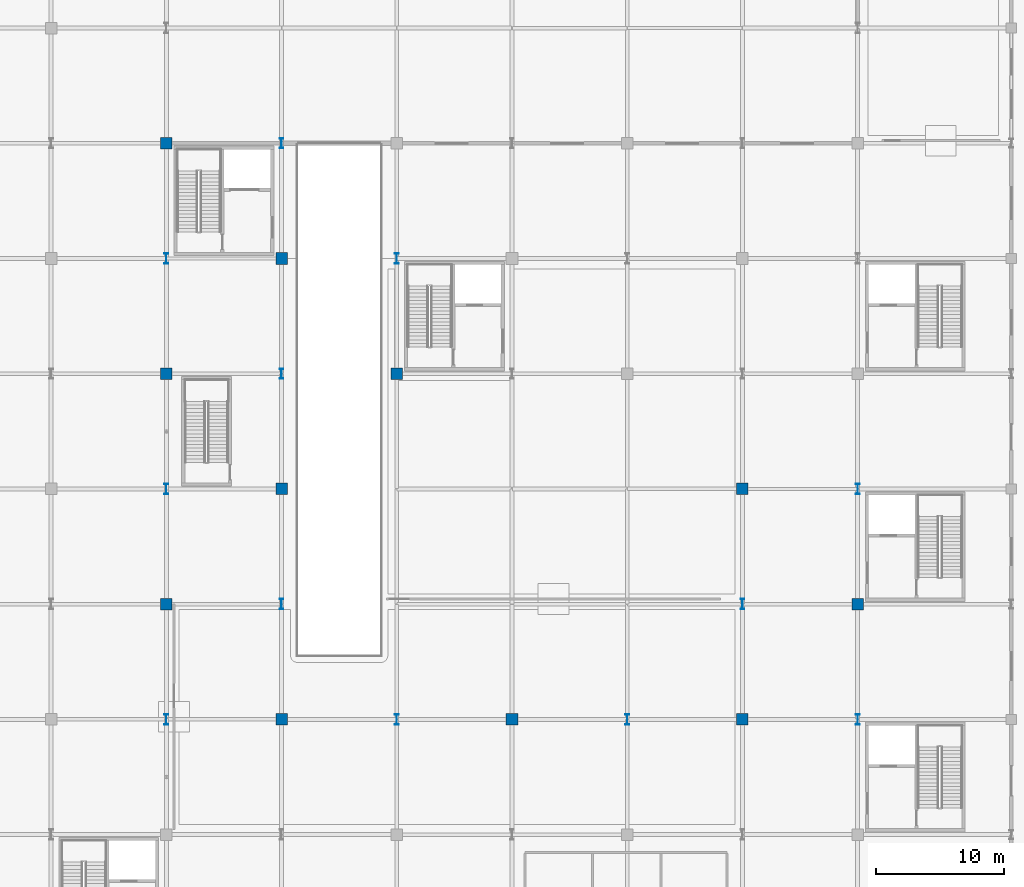
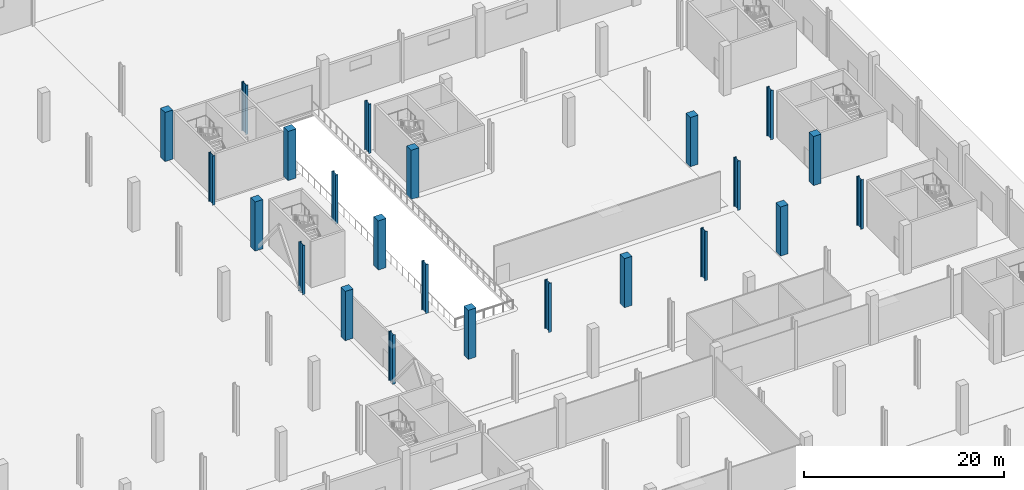
# One storey, part 12 of 58: 23 columns.
"""IFC4 building model written with IfcOpenShell, lengths in metres."""

from ifc_helpers import new_model, si_unit, direction, frame, origin, origin_2d, place, context, subcontext, project, spatial, rectangle, i_section, extrude, material, material_profile, profile_set, type_object, element, save


model = new_model("IFC4")

# Units and contexts
model_context = context("Model", 3, precision=1e-05, world=origin(), true_north=direction((0.0, 1.0)))
body_context = subcontext(model_context, "Body", "Model", "MODEL_VIEW")
ifc_project = project(units=[si_unit("LENGTHUNIT", "METRE"), si_unit("AREAUNIT", "SQUARE_METRE"), si_unit("VOLUMEUNIT", "CUBIC_METRE"), si_unit("PLANEANGLEUNIT", "RADIAN"), si_unit("MASSUNIT", "GRAM", prefix="KILO")], contexts=[model_context])

# Site, building, storey
site_placement = place(None, origin())
site = spatial("IfcSite", under=ifc_project, at=site_placement, CompositionType="ELEMENT")
building_placement = place(site_placement, origin())
building = spatial("IfcBuilding", under=site, at=building_placement, Name="Barlavento Convention Centre", CompositionType="ELEMENT")
storey_placement = place(building_placement, origin())
storey = spatial("IfcBuildingStorey", under=building, at=storey_placement, Name="L00", CompositionType="ELEMENT", Elevation=0.0)

# Columns
ifc_material_1 = material(Name="Steel S460", Category="steel")
ifc_material_profile_1 = material_profile(ifc_material_1, i_section(OverallWidth=0.302978515625, OverallDepth=0.81396484375, WebThickness=0.02099609375, FlangeThickness=0.0400390625, FilletRadius=0.030029296875, at=origin_2d()), Name="HEM 800")
ifc_profile_set_1 = profile_set([ifc_material_profile_1], Name="Steel S460")
column_type_1 = type_object("IfcColumnType", Name="STR-COL-HEM800", PredefinedType="COLUMN", material=ifc_profile_set_1)
for number, where, z_axis, x_axis, name in (
    (1, (126.0, 63.0, 0.0), (0.0, 0.0, 1.0), (1.0, 0.0, 0.0), "L00 column SC02"),
    (2, (126.0, 81.0, 0.0), (0.0, 0.0, 1.0), (1.0, 0.0, 0.0), "L00 column SC02"),
    (3, (126.0, 99.0, 0.0), (0.0, 0.0, 1.0), (1.0, 0.0, 0.0), "L00 column SC02"),
    (4, (135.0, 72.0, 0.0), (0.0, 0.0, 1.0), (1.0, 0.0, 0.0), "L00 column SC02"),
    (5, (135.0, 90.0, 0.0), (0.0, 0.0, 1.0), (1.0, 0.0, 0.0), "L00 column SC02"),
    (6, (135.0, 108.0, 0.0), (0.0, 0.0, 1.0), (1.0, 0.0, 0.0), "L00 column SC02"),
    (7, (144.0, 63.0, 0.0), (0.0, 0.0, 1.0), (1.0, 0.0, 0.0), "L00 column SC02"),
    (8, (144.0, 99.0, 0.0), (0.0, 0.0, 1.0), (1.0, 0.0, 0.0), "L00 column SC02"),
    (9, (162.0, 63.0, 0.0), (0.0, 0.0, 1.0), (1.0, 0.0, 0.0), "L00 column SC02"),
    (10, (171.0, 72.0, 0.0), (0.0, 0.0, 1.0), (1.0, 0.0, 0.0), "L00 column SC02"),
    (11, (180.0, 63.0, 0.0), (0.0, 0.0, 1.0), (1.0, 0.0, 0.0), "L00 column SC02"),
    (12, (180.0, 81.0, 0.0), (0.0, 0.0, 1.0), (1.0, 0.0, 0.0), "L00 column SC02"),
):
    element("IfcColumn", number, at=place(storey_placement, frame(where, z_axis=z_axis, x_axis=x_axis)), inside=storey, type_object=column_type_1, Name=name, PredefinedType="COLUMN", context=body_context, shape_type="SweptSolid", body=[
        extrude(i_section(OverallWidth=0.302978515625, OverallDepth=0.81396484375, WebThickness=0.02099609375, FlangeThickness=0.0400390625, FilletRadius=0.030029296875, at=origin_2d()), origin(), (0.0, 0.0, 1.0), 6.0),
    ])
ifc_material_2 = material(Name="Concrete C50/60", Category="concrete")
ifc_material_profile_2 = material_profile(ifc_material_2, rectangle(XDim=0.89990234375, YDim=0.89990234375, at=origin_2d()), Name="RC 900x900")
ifc_profile_set_2 = profile_set([ifc_material_profile_2], Name="Concrete C50/60")
column_type_2 = type_object("IfcColumnType", Name="STR-COL-RC900", PredefinedType="COLUMN", material=ifc_profile_set_2)
for number, where, z_axis, x_axis, name in (
    (13, (126.0, 72.0, 0.0), (0.0, 0.0, 1.0), (1.0, 0.0, 0.0), "L00 column CC04"),
    (14, (126.0, 90.0, 0.0), (0.0, 0.0, 1.0), (1.0, 0.0, 0.0), "L00 column CC04"),
    (15, (126.0, 108.0, 0.0), (0.0, 0.0, 1.0), (1.0, 0.0, 0.0), "L00 column CC04"),
    (16, (135.0, 63.0, 0.0), (0.0, 0.0, 1.0), (1.0, 0.0, 0.0), "L00 column CC04"),
    (17, (135.0, 81.0, 0.0), (0.0, 0.0, 1.0), (1.0, 0.0, 0.0), "L00 column CC04"),
    (18, (135.0, 99.0, 0.0), (0.0, 0.0, 1.0), (1.0, 0.0, 0.0), "L00 column CC04"),
    (19, (144.0, 90.0, 0.0), (0.0, 0.0, 1.0), (1.0, 0.0, 0.0), "L00 column CC04"),
    (20, (153.0, 63.0, 0.0), (0.0, 0.0, 1.0), (1.0, 0.0, 0.0), "L00 column CC04"),
    (21, (171.0, 63.0, 0.0), (0.0, 0.0, 1.0), (1.0, 0.0, 0.0), "L00 column CC04"),
    (22, (171.0, 81.0, 0.0), (0.0, 0.0, 1.0), (1.0, 0.0, 0.0), "L00 column CC04"),
    (23, (180.0, 72.0, 0.0), (0.0, 0.0, 1.0), (1.0, 0.0, 0.0), "L00 column CC04"),
):
    element("IfcColumn", number, at=place(storey_placement, frame(where, z_axis=z_axis, x_axis=x_axis)), inside=storey, type_object=column_type_2, Name=name, PredefinedType="COLUMN", context=body_context, shape_type="SweptSolid", body=[
        extrude(rectangle(XDim=0.89990234375, YDim=0.89990234375, at=origin_2d()), origin(), (0.0, 0.0, 1.0), 6.0),
    ])

save(model, "model.ifc")
